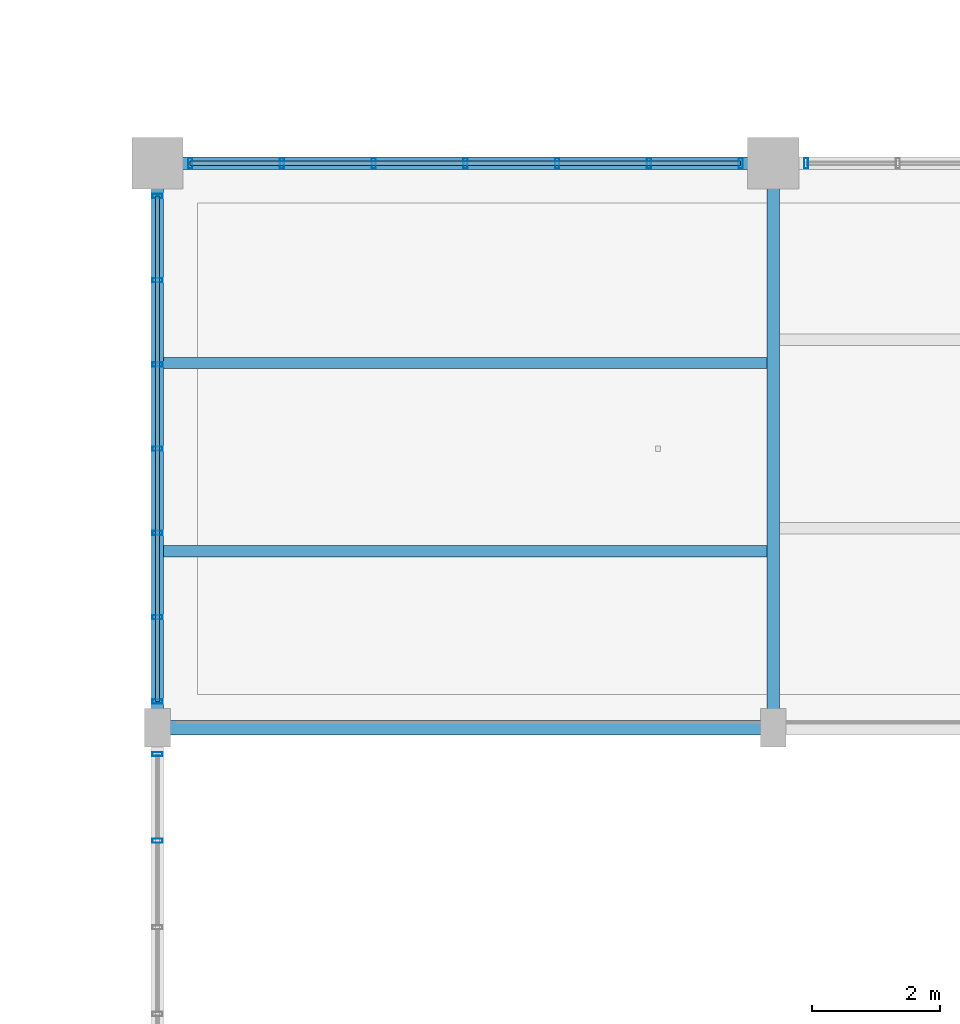
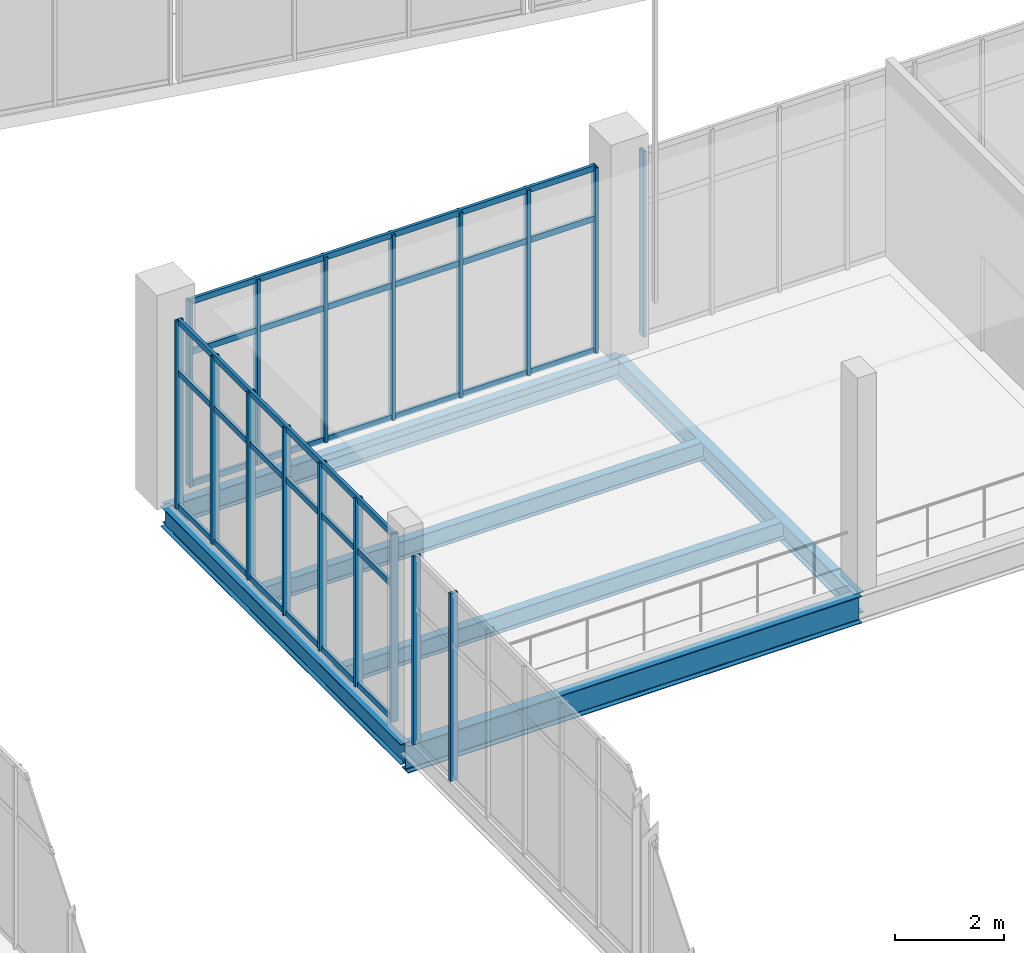
# One storey, part 45 of 157: 23 members, 6 beams, 4 elements without a shape of their own.
"""IFC4 building model written with IfcOpenShell, lengths in metres."""

from ifc_helpers import new_model, si_unit, direction, frame, origin, origin_2d, place, context, subcontext, project, spatial, hollow_rectangle, i_section, extrude, material, layer, layer_set, material_profile, profile_set, type_object, element, aggregate, save


model = new_model("IFC4")

# Units and contexts
model_context = context("Model", 3, precision=1e-05, world=origin(), true_north=direction((0.0, 1.0)))
body_context = subcontext(model_context, "Body", "Model", "MODEL_VIEW")
ifc_project = project(units=[si_unit("LENGTHUNIT", "METRE"), si_unit("AREAUNIT", "SQUARE_METRE"), si_unit("VOLUMEUNIT", "CUBIC_METRE"), si_unit("PLANEANGLEUNIT", "RADIAN"), si_unit("MASSUNIT", "GRAM", prefix="KILO")], contexts=[model_context])

# Site, building, storey
site_placement = place(None, origin())
site = spatial("IfcSite", under=ifc_project, at=site_placement, CompositionType="ELEMENT")
building_placement = place(site_placement, origin())
building = spatial("IfcBuilding", under=site, at=building_placement, Name="Chalmorin Arch Market", CompositionType="ELEMENT")
storey_placement = place(building_placement, frame((0.0, 0.0, 4.800048828125)))
storey = spatial("IfcBuildingStorey", under=building, at=storey_placement, Name="L01", CompositionType="ELEMENT", Elevation=4.800048828125)

# Curtain wall, members
ifc_material_1 = material(Name="Aluminium 6063-T6", Category="aluminium")
ifc_layer_1 = layer(ifc_material_1, 0.159912109375)
ifc_layer_set_1 = layer_set([ifc_layer_1], Name="Aluminium 6063-T6")
curtain_wall_type_1 = type_object("IfcCurtainWallType", Name="MarketClerestoryCurtainWall-CW1-8580x4150", PredefinedType="NOTDEFINED", material=ifc_layer_set_1)
curtain_wall_1_placement = place(storey_placement, origin())
curtain_wall_1 = element("IfcCurtainWall", 1, at=curtain_wall_1_placement, inside=storey, type_object=curtain_wall_type_1, Name="CW-01-002", PredefinedType="NOTDEFINED")
ifc_material_profile_1 = material_profile(ifc_material_1, hollow_rectangle(XDim=0.06494140625, YDim=0.159912109375, WallThickness=0.00390625, at=origin_2d()), Name="ALU65X160X4")
ifc_profile_set_1 = profile_set([ifc_material_profile_1], Name="Aluminium 6063-T6")
member_type_1 = type_object("IfcMemberType", Name="CurtainWallMullion-65x160", PredefinedType="MULLION", material=ifc_profile_set_1)
member_1_placement = place(storey_placement, frame((48.510009765625, 58.800048828125, 0.0), z_axis=(0.0, 0.0, 1.0), x_axis=(1.0, 0.0, 0.0)))
member_1 = element("IfcMember", 2, at=member_1_placement, type_object=member_type_1, Name="ML-002-01", PredefinedType="MULLION", context=body_context, shape_type="SweptSolid", body=[
    extrude(hollow_rectangle(XDim=0.06494140625, YDim=0.159912109375, WallThickness=0.00390625, at=origin_2d()), origin(), (0.0, 0.0, 1.0), 4.14990234375),
])
member_2_placement = place(storey_placement, frame((49.93994140625, 58.800048828125, 0.0), z_axis=(0.0, 0.0, 1.0), x_axis=(1.0, 0.0, 0.0)))
member_2 = element("IfcMember", 3, at=member_2_placement, type_object=member_type_1, Name="ML-002-02", PredefinedType="MULLION", context=body_context, shape_type="SweptSolid", body=[
    extrude(hollow_rectangle(XDim=0.06494140625, YDim=0.159912109375, WallThickness=0.00390625, at=origin_2d()), origin(), (0.0, 0.0, 1.0), 4.14990234375),
])
member_3_placement = place(storey_placement, frame((51.3701171875, 58.800048828125, 0.0), z_axis=(0.0, 0.0, 1.0), x_axis=(1.0, 0.0, 0.0)))
member_3 = element("IfcMember", 4, at=member_3_placement, type_object=member_type_1, Name="ML-002-03", PredefinedType="MULLION", context=body_context, shape_type="SweptSolid", body=[
    extrude(hollow_rectangle(XDim=0.06494140625, YDim=0.159912109375, WallThickness=0.00390625, at=origin_2d()), origin(), (0.0, 0.0, 1.0), 4.14990234375),
])
member_4_placement = place(storey_placement, frame((52.800048828125, 58.800048828125, 0.0), z_axis=(0.0, 0.0, 1.0), x_axis=(1.0, 0.0, 0.0)))
member_4 = element("IfcMember", 5, at=member_4_placement, type_object=member_type_1, Name="ML-002-04", PredefinedType="MULLION", context=body_context, shape_type="SweptSolid", body=[
    extrude(hollow_rectangle(XDim=0.06494140625, YDim=0.159912109375, WallThickness=0.00390625, at=origin_2d()), origin(), (0.0, 0.0, 1.0), 4.14990234375),
])
member_5_placement = place(storey_placement, frame((54.22998046875, 58.800048828125, 0.0), z_axis=(0.0, 0.0, 1.0), x_axis=(1.0, 0.0, 0.0)))
member_5 = element("IfcMember", 6, at=member_5_placement, type_object=member_type_1, Name="ML-002-05", PredefinedType="MULLION", context=body_context, shape_type="SweptSolid", body=[
    extrude(hollow_rectangle(XDim=0.06494140625, YDim=0.159912109375, WallThickness=0.00390625, at=origin_2d()), origin(), (0.0, 0.0, 1.0), 4.14990234375),
])
member_6_placement = place(storey_placement, frame((55.659912109375, 58.800048828125, 0.0), z_axis=(0.0, 0.0, 1.0), x_axis=(1.0, 0.0, 0.0)))
member_6 = element("IfcMember", 7, at=member_6_placement, type_object=member_type_1, Name="ML-002-06", PredefinedType="MULLION", context=body_context, shape_type="SweptSolid", body=[
    extrude(hollow_rectangle(XDim=0.06494140625, YDim=0.159912109375, WallThickness=0.00390625, at=origin_2d()), origin(), (0.0, 0.0, 1.0), 4.14990234375),
])
member_7_placement = place(storey_placement, frame((57.090087890625, 58.800048828125, 0.0), z_axis=(0.0, 0.0, 1.0), x_axis=(1.0, 0.0, 0.0)))
member_7 = element("IfcMember", 8, at=member_7_placement, type_object=member_type_1, Name="ML-002-07", PredefinedType="MULLION", context=body_context, shape_type="SweptSolid", body=[
    extrude(hollow_rectangle(XDim=0.06494140625, YDim=0.159912109375, WallThickness=0.00390625, at=origin_2d()), origin(), (0.0, 0.0, 1.0), 4.14990234375),
])

# Curtain wall, member
curtain_wall_2_placement = place(storey_placement, origin())
curtain_wall_2 = element("IfcCurtainWall", 9, at=curtain_wall_2_placement, inside=storey, type_object=curtain_wall_type_1, Name="CW-01-006", PredefinedType="NOTDEFINED")
member_8_placement = place(storey_placement, frame((58.110107421875, 58.800048828125, 0.0), z_axis=(0.0, 0.0, 1.0), x_axis=(1.0, 0.0, 0.0)))
member_8 = element("IfcMember", 10, at=member_8_placement, type_object=member_type_1, Name="ML-006-01", PredefinedType="MULLION", context=body_context, shape_type="SweptSolid", body=[
    extrude(hollow_rectangle(XDim=0.06494140625, YDim=0.159912109375, WallThickness=0.00390625, at=origin_2d()), origin(), (0.0, 0.0, 1.0), 4.14990234375),
])
aggregate(curtain_wall_2, [member_8])

# Curtain wall, members
ifc_layer_2 = layer(ifc_material_1, 0.159912109375)
ifc_layer_set_2 = layer_set([ifc_layer_2], Name="Aluminium 6063-T6")
curtain_wall_type_2 = type_object("IfcCurtainWallType", Name="GableTympanumCurtainWall-CW4-8100x4200", PredefinedType="NOTDEFINED", material=ifc_layer_set_2)
curtain_wall_3_placement = place(storey_placement, origin())
curtain_wall_3 = element("IfcCurtainWall", 11, at=curtain_wall_3_placement, inside=storey, type_object=curtain_wall_type_2, Name="CW-04-032", PredefinedType="NOTDEFINED")
member_9_placement = place(storey_placement, frame((48.0, 48.23974609375, 0.0), z_axis=(0.0, 0.0, 1.0), x_axis=(0.0, 1.0, 0.0)))
member_9 = element("IfcMember", 12, at=member_9_placement, type_object=member_type_1, Name="ML-032-06", PredefinedType="MULLION", context=body_context, shape_type="SweptSolid", body=[
    extrude(hollow_rectangle(XDim=0.06494140625, YDim=0.159912109375, WallThickness=0.00390625, at=origin_2d()), origin(), (0.0, 0.0, 1.0), 4.199951171875),
])
member_10_placement = place(storey_placement, frame((48.0, 49.590087890625, 0.0), z_axis=(0.0, 0.0, 1.0), x_axis=(0.0, 1.0, 0.0)))
member_10 = element("IfcMember", 13, at=member_10_placement, type_object=member_type_1, Name="ML-032-07", PredefinedType="MULLION", context=body_context, shape_type="SweptSolid", body=[
    extrude(hollow_rectangle(XDim=0.06494140625, YDim=0.159912109375, WallThickness=0.00390625, at=origin_2d()), origin(), (0.0, 0.0, 1.0), 4.199951171875),
])
aggregate(curtain_wall_3, [member_9, member_10])

ifc_layer_3 = layer(ifc_material_1, 0.159912109375)
ifc_layer_set_3 = layer_set([ifc_layer_3], Name="Aluminium 6063-T6")
curtain_wall_type_3 = type_object("IfcCurtainWallType", Name="GableTympanumCurtainWall-CW4-7880x4200", PredefinedType="NOTDEFINED", material=ifc_layer_set_3)
curtain_wall_4_placement = place(storey_placement, origin())
curtain_wall_4 = element("IfcCurtainWall", 14, at=curtain_wall_4_placement, inside=storey, type_object=curtain_wall_type_3, Name="CW-04-035", PredefinedType="NOTDEFINED")
member_11_placement = place(storey_placement, frame((48.0, 50.409912109375, 0.0), z_axis=(0.0, 0.0, 1.0), x_axis=(0.0, 1.0, 0.0)))
member_11 = element("IfcMember", 15, at=member_11_placement, type_object=member_type_1, Name="ML-035-01", PredefinedType="MULLION", context=body_context, shape_type="SweptSolid", body=[
    extrude(hollow_rectangle(XDim=0.06494140625, YDim=0.159912109375, WallThickness=0.00390625, at=origin_2d()), origin(), (0.0, 0.0, 1.0), 4.199951171875),
])
member_12_placement = place(storey_placement, frame((48.0, 51.723388671875, 0.0), z_axis=(0.0, 0.0, 1.0), x_axis=(0.0, 1.0, 0.0)))
member_12 = element("IfcMember", 16, at=member_12_placement, type_object=member_type_1, Name="ML-035-02", PredefinedType="MULLION", context=body_context, shape_type="SweptSolid", body=[
    extrude(hollow_rectangle(XDim=0.06494140625, YDim=0.159912109375, WallThickness=0.00390625, at=origin_2d()), origin(), (0.0, 0.0, 1.0), 4.199951171875),
])
member_13_placement = place(storey_placement, frame((48.0, 53.03662109375, 0.0), z_axis=(0.0, 0.0, 1.0), x_axis=(0.0, 1.0, 0.0)))
member_13 = element("IfcMember", 17, at=member_13_placement, type_object=member_type_1, Name="ML-035-03", PredefinedType="MULLION", context=body_context, shape_type="SweptSolid", body=[
    extrude(hollow_rectangle(XDim=0.06494140625, YDim=0.159912109375, WallThickness=0.00390625, at=origin_2d()), origin(), (0.0, 0.0, 1.0), 4.199951171875),
])
member_14_placement = place(storey_placement, frame((48.0, 54.35009765625, 0.0), z_axis=(0.0, 0.0, 1.0), x_axis=(0.0, 1.0, 0.0)))
member_14 = element("IfcMember", 18, at=member_14_placement, type_object=member_type_1, Name="ML-035-04", PredefinedType="MULLION", context=body_context, shape_type="SweptSolid", body=[
    extrude(hollow_rectangle(XDim=0.06494140625, YDim=0.159912109375, WallThickness=0.00390625, at=origin_2d()), origin(), (0.0, 0.0, 1.0), 4.199951171875),
])
member_15_placement = place(storey_placement, frame((48.0, 55.663330078125, 0.0), z_axis=(0.0, 0.0, 1.0), x_axis=(0.0, 1.0, 0.0)))
member_15 = element("IfcMember", 19, at=member_15_placement, type_object=member_type_1, Name="ML-035-05", PredefinedType="MULLION", context=body_context, shape_type="SweptSolid", body=[
    extrude(hollow_rectangle(XDim=0.06494140625, YDim=0.159912109375, WallThickness=0.00390625, at=origin_2d()), origin(), (0.0, 0.0, 1.0), 4.199951171875),
])
member_16_placement = place(storey_placement, frame((48.0, 56.976806640625, 0.0), z_axis=(0.0, 0.0, 1.0), x_axis=(0.0, 1.0, 0.0)))
member_16 = element("IfcMember", 20, at=member_16_placement, type_object=member_type_1, Name="ML-035-06", PredefinedType="MULLION", context=body_context, shape_type="SweptSolid", body=[
    extrude(hollow_rectangle(XDim=0.06494140625, YDim=0.159912109375, WallThickness=0.00390625, at=origin_2d()), origin(), (0.0, 0.0, 1.0), 4.199951171875),
])
member_17_placement = place(storey_placement, frame((48.0, 58.2900390625, 0.0), z_axis=(0.0, 0.0, 1.0), x_axis=(0.0, 1.0, 0.0)))
member_17 = element("IfcMember", 21, at=member_17_placement, type_object=member_type_1, Name="ML-035-07", PredefinedType="MULLION", context=body_context, shape_type="SweptSolid", body=[
    extrude(hollow_rectangle(XDim=0.06494140625, YDim=0.159912109375, WallThickness=0.00390625, at=origin_2d()), origin(), (0.0, 0.0, 1.0), 4.199951171875),
])

# Member
ifc_material_profile_2 = material_profile(ifc_material_1, hollow_rectangle(XDim=0.06494140625, YDim=0.1298828125, WallThickness=0.00390625, at=origin_2d()), Name="ALU65X130X4")
ifc_profile_set_2 = profile_set([ifc_material_profile_2], Name="Aluminium 6063-T6")
member_type_2 = type_object("IfcMemberType", Name="CurtainWallTransom-65x130", PredefinedType="USERDEFINED", material=ifc_profile_set_2)
member_18_placement = place(storey_placement, frame((48.510009765625, 58.800048828125, 0.034912109375), z_axis=(1.0, 0.0, 0.0), x_axis=(0.0, 1.0, 0.0)))
member_18 = element("IfcMember", 22, at=member_18_placement, type_object=member_type_2, Name="TR-002-01", ObjectType="TRANSOM", PredefinedType="USERDEFINED", context=body_context, shape_type="SweptSolid", body=[
    extrude(hollow_rectangle(XDim=0.06494140625, YDim=0.1298828125, WallThickness=0.00390625, at=origin_2d()), origin(), (0.0, 0.0, 1.0), 8.580078125),
])

member_19_placement = place(storey_placement, frame((48.510009765625, 58.800048828125, 2.988037109375), z_axis=(1.0, 0.0, 0.0), x_axis=(0.0, 1.0, 0.0)))
member_19 = element("IfcMember", 23, at=member_19_placement, type_object=member_type_2, Name="TR-002-02", ObjectType="TRANSOM", PredefinedType="USERDEFINED", context=body_context, shape_type="SweptSolid", body=[
    extrude(hollow_rectangle(XDim=0.06494140625, YDim=0.1298828125, WallThickness=0.00390625, at=origin_2d()), origin(), (0.0, 0.0, 1.0), 8.580078125),
])

member_20_placement = place(storey_placement, frame((48.510009765625, 58.800048828125, 4.114990234375), z_axis=(1.0, 0.0, 0.0), x_axis=(0.0, 1.0, 0.0)))
member_20 = element("IfcMember", 24, at=member_20_placement, type_object=member_type_2, Name="TR-002-03", ObjectType="TRANSOM", PredefinedType="USERDEFINED", context=body_context, shape_type="SweptSolid", body=[
    extrude(hollow_rectangle(XDim=0.06494140625, YDim=0.1298828125, WallThickness=0.00390625, at=origin_2d()), origin(), (0.0, 0.0, 1.0), 8.580078125),
])

aggregate(curtain_wall_1, [member_1, member_2, member_3, member_4, member_5, member_6, member_7, member_18, member_19, member_20])

member_21_placement = place(storey_placement, frame((48.0, 50.409912109375, 0.034912109375), z_axis=(0.0, 1.0, 0.0), x_axis=(-1.0, 0.0, 0.0)))
member_21 = element("IfcMember", 25, at=member_21_placement, type_object=member_type_2, Name="TR-035-01", ObjectType="TRANSOM", PredefinedType="USERDEFINED", context=body_context, shape_type="SweptSolid", body=[
    extrude(hollow_rectangle(XDim=0.06494140625, YDim=0.1298828125, WallThickness=0.00390625, at=origin_2d()), origin(), (0.0, 0.0, 1.0), 7.880126953125),
])

member_22_placement = place(storey_placement, frame((48.0, 50.409912109375, 3.02392578125), z_axis=(0.0, 1.0, 0.0), x_axis=(-1.0, 0.0, 0.0)))
member_22 = element("IfcMember", 26, at=member_22_placement, type_object=member_type_2, Name="TR-035-02", ObjectType="TRANSOM", PredefinedType="USERDEFINED", context=body_context, shape_type="SweptSolid", body=[
    extrude(hollow_rectangle(XDim=0.06494140625, YDim=0.1298828125, WallThickness=0.00390625, at=origin_2d()), origin(), (0.0, 0.0, 1.0), 7.880126953125),
])

member_23_placement = place(storey_placement, frame((48.0, 50.409912109375, 4.1650390625), z_axis=(0.0, 1.0, 0.0), x_axis=(-1.0, 0.0, 0.0)))
member_23 = element("IfcMember", 27, at=member_23_placement, type_object=member_type_2, Name="TR-035-03", ObjectType="TRANSOM", PredefinedType="USERDEFINED", context=body_context, shape_type="SweptSolid", body=[
    extrude(hollow_rectangle(XDim=0.06494140625, YDim=0.1298828125, WallThickness=0.00390625, at=origin_2d()), origin(), (0.0, 0.0, 1.0), 7.880126953125),
])

aggregate(curtain_wall_4, [member_11, member_12, member_13, member_14, member_15, member_16, member_17, member_21, member_22, member_23])

# Beams
ifc_material_2 = material(Name="Steel A992 Grade 50", Category="steel")
ifc_material_profile_3 = material_profile(ifc_material_2, i_section(OverallWidth=0.193115234375, OverallDepth=0.466064453125, WebThickness=0.011474609375, FlangeThickness=0.01904296875, FilletRadius=0.02001953125, at=origin_2d()), Name="W18X65")
ifc_profile_set_3 = profile_set([ifc_material_profile_3], Name="Steel A992 Grade 50")
beam_type_1 = type_object("IfcBeamType", Name="FloorSteelBeam-W18X65", PredefinedType="BEAM", material=ifc_profile_set_3)
beam_1_placement = place(storey_placement, frame((57.60009765625, 50.0, -0.485107421875), z_axis=(0.0, 1.0, 0.0), x_axis=(-1.0, 0.0, 0.0)))
element("IfcBeam", 28, at=beam_1_placement, inside=storey, type_object=beam_type_1, Name="BM-W18A-0642", PredefinedType="BEAM", context=body_context, shape_type="SweptSolid", body=[
    extrude(i_section(OverallWidth=0.193115234375, OverallDepth=0.466064453125, WebThickness=0.011474609375, FlangeThickness=0.01904296875, FilletRadius=0.02001953125, at=origin_2d()), origin(), (0.0, 0.0, 1.0), 8.800048828125),
])
ifc_material_profile_4 = material_profile(ifc_material_2, i_section(OverallWidth=0.19091796875, OverallDepth=0.45703125, WebThickness=0.009033203125, FlangeThickness=0.014404296875, FilletRadius=0.02001953125, at=origin_2d()), Name="W18X50")
ifc_profile_set_4 = profile_set([ifc_material_profile_4], Name="Steel A992 Grade 50")
beam_type_2 = type_object("IfcBeamType", Name="PerimeterSpandrelBeam-W18X50", PredefinedType="SPANDREL", material=ifc_profile_set_4)
beam_2_placement = place(storey_placement, frame((48.0, 58.800048828125, -0.48046875), z_axis=(1.0, 0.0, 0.0), x_axis=(0.0, 1.0, 0.0)))
element("IfcBeam", 29, at=beam_2_placement, inside=storey, type_object=beam_type_2, Name="SP-W18-0640", PredefinedType="SPANDREL", context=body_context, shape_type="SweptSolid", body=[
    extrude(i_section(OverallWidth=0.19091796875, OverallDepth=0.45703125, WebThickness=0.009033203125, FlangeThickness=0.014404296875, FilletRadius=0.02001953125, at=origin_2d()), origin(), (0.0, 0.0, 1.0), 9.60009765625),
])
beam_3_placement = place(storey_placement, frame((48.0, 50.0, -0.48046875), z_axis=(0.0, 1.0, 0.0), x_axis=(-1.0, 0.0, 0.0)))
element("IfcBeam", 30, at=beam_3_placement, inside=storey, type_object=beam_type_2, Name="SP-W18-0641", PredefinedType="SPANDREL", context=body_context, shape_type="SweptSolid", body=[
    extrude(i_section(OverallWidth=0.19091796875, OverallDepth=0.45703125, WebThickness=0.009033203125, FlangeThickness=0.014404296875, FilletRadius=0.02001953125, at=origin_2d()), origin(), (0.0, 0.0, 1.0), 8.800048828125),
])
ifc_material_profile_5 = material_profile(ifc_material_2, i_section(OverallWidth=0.22802734375, OverallDepth=0.60791015625, WebThickness=0.01123046875, FlangeThickness=0.017333984375, FilletRadius=0.02392578125, at=origin_2d()), Name="W24X76")
ifc_profile_set_5 = profile_set([ifc_material_profile_5], Name="Steel A992 Grade 50")
beam_type_3 = type_object("IfcBeamType", Name="PrimarySteelGirder-W24X76", PredefinedType="BEAM", material=ifc_profile_set_5)
beam_4_placement = place(storey_placement, frame((48.0, 50.0, -0.55615234375), z_axis=(1.0, 0.0, 0.0), x_axis=(0.0, 1.0, 0.0)))
element("IfcBeam", 31, at=beam_4_placement, inside=storey, type_object=beam_type_3, Name="BG-W24B-0639", PredefinedType="BEAM", context=body_context, shape_type="SweptSolid", body=[
    extrude(i_section(OverallWidth=0.22802734375, OverallDepth=0.60791015625, WebThickness=0.01123046875, FlangeThickness=0.017333984375, FilletRadius=0.02392578125, at=origin_2d()), origin(), (0.0, 0.0, 1.0), 9.60009765625),
])
ifc_material_profile_6 = material_profile(ifc_material_2, i_section(OverallWidth=0.177978515625, OverallDepth=0.403076171875, WebThickness=0.007568359375, FlangeThickness=0.010986328125, FilletRadius=0.01806640625, at=origin_2d()), Name="W16X36")
ifc_profile_set_6 = profile_set([ifc_material_profile_6], Name="Steel A992 Grade 50")
beam_type_4 = type_object("IfcBeamType", Name="SecondaryFloorJoist-W16X36", PredefinedType="JOIST", material=ifc_profile_set_6)
for number, where, z_axis, x_axis, name in (
    (32, (48.0, 52.75341796875, -0.45361328125), (1.0, 0.0, 0.0), (0.0, 1.0, 0.0), "BJ-W16B-0664"),
    (33, (48.0, 55.686767578125, -0.45361328125), (1.0, 0.0, 0.0), (0.0, 1.0, 0.0), "BJ-W16B-0665"),
):
    element("IfcBeam", number, at=place(storey_placement, frame(where, z_axis=z_axis, x_axis=x_axis)), inside=storey, type_object=beam_type_4, Name=name, PredefinedType="JOIST", context=body_context, shape_type="SweptSolid", body=[
        extrude(i_section(OverallWidth=0.177978515625, OverallDepth=0.403076171875, WebThickness=0.007568359375, FlangeThickness=0.010986328125, FilletRadius=0.01806640625, at=origin_2d()), origin(), (0.0, 0.0, 1.0), 9.60009765625),
    ])

save(model, "model.ifc")
